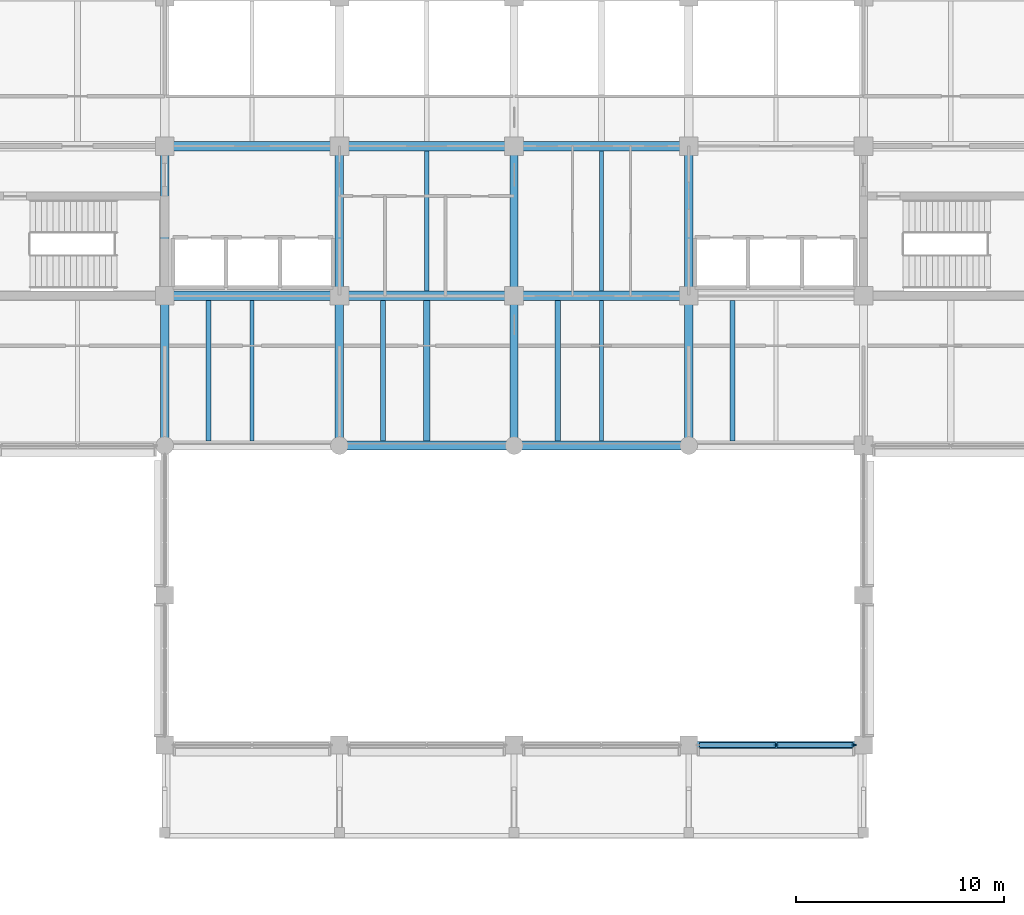
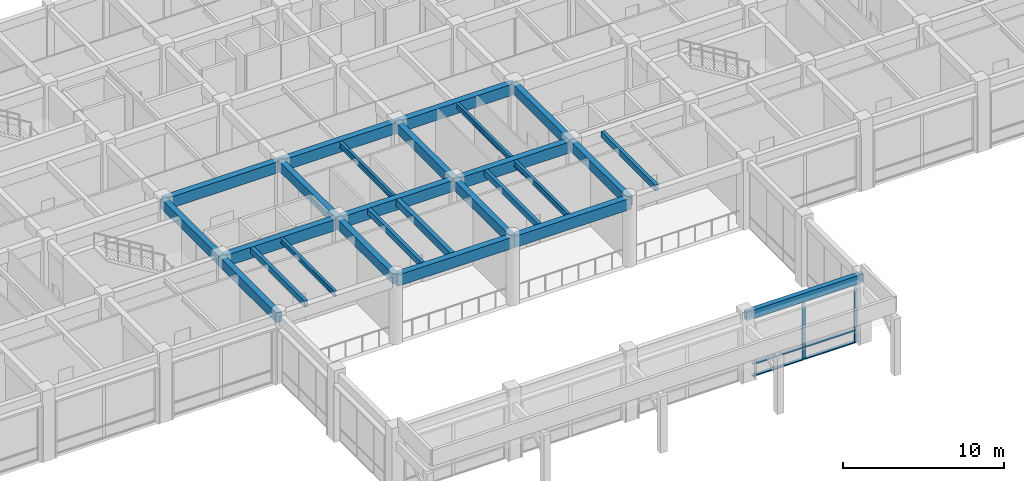
# One storey, part 15 of 68: 26 beams, 8 members, 1 element without a shape of its own.
"""IFC4 building model written with IfcOpenShell, lengths in metres."""

from ifc_helpers import new_model, si_unit, direction, frame, origin, origin_2d, place, context, subcontext, project, spatial, rectangle, i_section, extrude, material, layer, layer_set, material_profile, profile_set, type_object, element, aggregate, save


model = new_model("IFC4")

# Units and contexts
model_context = context("Model", 3, precision=1e-05, world=origin(), true_north=direction((0.0, 1.0)))
body_context = subcontext(model_context, "Body", "Model", "MODEL_VIEW")
ifc_project = project(units=[si_unit("LENGTHUNIT", "METRE"), si_unit("AREAUNIT", "SQUARE_METRE"), si_unit("VOLUMEUNIT", "CUBIC_METRE"), si_unit("PLANEANGLEUNIT", "RADIAN"), si_unit("MASSUNIT", "GRAM", prefix="KILO")], contexts=[model_context])

# Site, building, storey
site_placement = place(None, origin())
site = spatial("IfcSite", under=ifc_project, at=site_placement, CompositionType="ELEMENT")
building_placement = place(site_placement, origin())
building = spatial("IfcBuilding", under=site, at=building_placement, Name="Chengyuan Square Courthouse", CompositionType="ELEMENT")
storey_placement = place(building_placement, frame((0.0, 0.0, 5.39990234375)))
storey = spatial("IfcBuildingStorey", under=building, at=storey_placement, Name="L02", CompositionType="ELEMENT", Elevation=5.39990234375)

# Beams
ifc_material_1 = material(Name="Concrete C40", Category="concrete")
ifc_material_profile_1 = material_profile(ifc_material_1, rectangle(XDim=0.449951171875, YDim=0.85009765625, at=origin_2d()), Name="RC-BM-450x850")
ifc_profile_set_1 = profile_set([ifc_material_profile_1], Name="Concrete C40")
beam_type_1 = type_object("IfcBeamType", Name="BM-01", PredefinedType="USERDEFINED", material=ifc_profile_set_1)
for number, where, z_axis, x_axis, name in (
    (1, (75.60009765625, 79.199951171875, 4.695068359375), (1.0, 0.0, 0.0), (0.0, 1.0, 0.0), "Girder BM-L02-2128"),
    (2, (84.0, 79.199951171875, 4.695068359375), (1.0, 0.0, 0.0), (0.0, 1.0, 0.0), "Girder BM-L02-2129"),
):
    element("IfcBeam", number, at=place(storey_placement, frame(where, z_axis=z_axis, x_axis=x_axis)), inside=storey, type_object=beam_type_1, Name=name, ObjectType="GIRDER", PredefinedType="USERDEFINED", context=body_context, shape_type="SweptSolid", body=[
        extrude(rectangle(XDim=0.449951171875, YDim=0.85009765625, at=origin_2d()), origin(), (0.0, 0.0, 1.0), 8.39990234375),
    ])
beam_1_placement = place(storey_placement, frame((67.199951171875, 86.39990234375, 4.695068359375), z_axis=(1.0, 0.0, 0.0), x_axis=(0.0, 1.0, 0.0)))
element("IfcBeam", 3, at=beam_1_placement, inside=storey, type_object=beam_type_1, Name="Girder BM-L02-2147", ObjectType="GIRDER", PredefinedType="USERDEFINED", context=body_context, shape_type="SweptSolid", body=[
    extrude(rectangle(XDim=0.449951171875, YDim=0.85009765625, at=origin_2d()), origin(), (0.0, 0.0, 1.0), 8.400146484375),
])
for number, where, z_axis, x_axis, name in (
    (4, (75.60009765625, 86.39990234375, 4.695068359375), (1.0, 0.0, 0.0), (0.0, 1.0, 0.0), "Girder BM-L02-2148"),
    (5, (84.0, 86.39990234375, 4.695068359375), (1.0, 0.0, 0.0), (0.0, 1.0, 0.0), "Girder BM-L02-2149"),
):
    element("IfcBeam", number, at=place(storey_placement, frame(where, z_axis=z_axis, x_axis=x_axis)), inside=storey, type_object=beam_type_1, Name=name, ObjectType="GIRDER", PredefinedType="USERDEFINED", context=body_context, shape_type="SweptSolid", body=[
        extrude(rectangle(XDim=0.449951171875, YDim=0.85009765625, at=origin_2d()), origin(), (0.0, 0.0, 1.0), 8.39990234375),
    ])
beam_2_placement = place(storey_placement, frame((67.199951171875, 93.60009765625, 4.695068359375), z_axis=(1.0, 0.0, 0.0), x_axis=(0.0, 1.0, 0.0)))
element("IfcBeam", 6, at=beam_2_placement, inside=storey, type_object=beam_type_1, Name="Girder BM-L02-2167", ObjectType="GIRDER", PredefinedType="USERDEFINED", context=body_context, shape_type="SweptSolid", body=[
    extrude(rectangle(XDim=0.449951171875, YDim=0.85009765625, at=origin_2d()), origin(), (0.0, 0.0, 1.0), 8.400146484375),
])
for number, where, z_axis, x_axis, name in (
    (7, (75.60009765625, 93.60009765625, 4.695068359375), (1.0, 0.0, 0.0), (0.0, 1.0, 0.0), "Girder BM-L02-2168"),
    (8, (84.0, 93.60009765625, 4.695068359375), (1.0, 0.0, 0.0), (0.0, 1.0, 0.0), "Girder BM-L02-2169"),
):
    element("IfcBeam", number, at=place(storey_placement, frame(where, z_axis=z_axis, x_axis=x_axis)), inside=storey, type_object=beam_type_1, Name=name, ObjectType="GIRDER", PredefinedType="USERDEFINED", context=body_context, shape_type="SweptSolid", body=[
        extrude(rectangle(XDim=0.449951171875, YDim=0.85009765625, at=origin_2d()), origin(), (0.0, 0.0, 1.0), 8.39990234375),
    ])
ifc_material_profile_2 = material_profile(ifc_material_1, rectangle(XDim=0.39990234375, YDim=0.75, at=origin_2d()), Name="RC-BM-400x750")
ifc_profile_set_2 = profile_set([ifc_material_profile_2], Name="Concrete C40")
beam_type_2 = type_object("IfcBeamType", Name="BM-02", PredefinedType="USERDEFINED", material=ifc_profile_set_2)
beam_3_placement = place(storey_placement, frame((67.199951171875, 79.199951171875, 4.7451171875), z_axis=(0.0, 1.0, 0.0), x_axis=(-1.0, 0.0, 0.0)))
element("IfcBeam", 9, at=beam_3_placement, inside=storey, type_object=beam_type_2, Name="Girder BM-L02-2296", ObjectType="GIRDER", PredefinedType="USERDEFINED", context=body_context, shape_type="SweptSolid", body=[
    extrude(rectangle(XDim=0.39990234375, YDim=0.75, at=origin_2d()), origin(), (0.0, 0.0, 1.0), 7.199951171875),
])
beam_4_placement = place(storey_placement, frame((67.199951171875, 86.39990234375, 4.7451171875), z_axis=(0.0, 1.0, 0.0), x_axis=(-1.0, 0.0, 0.0)))
element("IfcBeam", 10, at=beam_4_placement, inside=storey, type_object=beam_type_2, Name="Girder BM-L02-2297", ObjectType="GIRDER", PredefinedType="USERDEFINED", context=body_context, shape_type="SweptSolid", body=[
    extrude(rectangle(XDim=0.39990234375, YDim=0.75, at=origin_2d()), origin(), (0.0, 0.0, 1.0), 7.2001953125),
])
beam_5_placement = place(storey_placement, frame((75.60009765625, 79.199951171875, 4.7451171875), z_axis=(0.0, 1.0, 0.0), x_axis=(-1.0, 0.0, 0.0)))
element("IfcBeam", 11, at=beam_5_placement, inside=storey, type_object=beam_type_2, Name="Girder BM-L02-2301", ObjectType="GIRDER", PredefinedType="USERDEFINED", context=body_context, shape_type="SweptSolid", body=[
    extrude(rectangle(XDim=0.39990234375, YDim=0.75, at=origin_2d()), origin(), (0.0, 0.0, 1.0), 7.199951171875),
])
beam_6_placement = place(storey_placement, frame((75.60009765625, 86.39990234375, 4.7451171875), z_axis=(0.0, 1.0, 0.0), x_axis=(-1.0, 0.0, 0.0)))
element("IfcBeam", 12, at=beam_6_placement, inside=storey, type_object=beam_type_2, Name="Girder BM-L02-2302", ObjectType="GIRDER", PredefinedType="USERDEFINED", context=body_context, shape_type="SweptSolid", body=[
    extrude(rectangle(XDim=0.39990234375, YDim=0.75, at=origin_2d()), origin(), (0.0, 0.0, 1.0), 7.2001953125),
])
beam_7_placement = place(storey_placement, frame((84.0, 79.199951171875, 4.7451171875), z_axis=(0.0, 1.0, 0.0), x_axis=(-1.0, 0.0, 0.0)))
element("IfcBeam", 13, at=beam_7_placement, inside=storey, type_object=beam_type_2, Name="Girder BM-L02-2306", ObjectType="GIRDER", PredefinedType="USERDEFINED", context=body_context, shape_type="SweptSolid", body=[
    extrude(rectangle(XDim=0.39990234375, YDim=0.75, at=origin_2d()), origin(), (0.0, 0.0, 1.0), 7.199951171875),
])
beam_8_placement = place(storey_placement, frame((84.0, 86.39990234375, 4.7451171875), z_axis=(0.0, 1.0, 0.0), x_axis=(-1.0, 0.0, 0.0)))
element("IfcBeam", 14, at=beam_8_placement, inside=storey, type_object=beam_type_2, Name="Girder BM-L02-2307", ObjectType="GIRDER", PredefinedType="USERDEFINED", context=body_context, shape_type="SweptSolid", body=[
    extrude(rectangle(XDim=0.39990234375, YDim=0.75, at=origin_2d()), origin(), (0.0, 0.0, 1.0), 7.2001953125),
])
beam_9_placement = place(storey_placement, frame((92.39990234375, 79.199951171875, 4.7451171875), z_axis=(0.0, 1.0, 0.0), x_axis=(-1.0, 0.0, 0.0)))
element("IfcBeam", 15, at=beam_9_placement, inside=storey, type_object=beam_type_2, Name="Girder BM-L02-2311", ObjectType="GIRDER", PredefinedType="USERDEFINED", context=body_context, shape_type="SweptSolid", body=[
    extrude(rectangle(XDim=0.39990234375, YDim=0.75, at=origin_2d()), origin(), (0.0, 0.0, 1.0), 7.199951171875),
])
beam_10_placement = place(storey_placement, frame((92.39990234375, 86.39990234375, 4.7451171875), z_axis=(0.0, 1.0, 0.0), x_axis=(-1.0, 0.0, 0.0)))
element("IfcBeam", 16, at=beam_10_placement, inside=storey, type_object=beam_type_2, Name="Girder BM-L02-2312", ObjectType="GIRDER", PredefinedType="USERDEFINED", context=body_context, shape_type="SweptSolid", body=[
    extrude(rectangle(XDim=0.39990234375, YDim=0.75, at=origin_2d()), origin(), (0.0, 0.0, 1.0), 7.2001953125),
])
ifc_material_profile_3 = material_profile(ifc_material_1, rectangle(XDim=0.35009765625, YDim=0.64990234375, at=origin_2d()), Name="RC-BM-350x650")
ifc_profile_set_3 = profile_set([ifc_material_profile_3], Name="Concrete C40")
beam_type_3 = type_object("IfcBeamType", Name="BM-03", PredefinedType="SPANDREL", material=ifc_profile_set_3)
beam_11_placement = place(storey_placement, frame((92.39990234375, 64.800048828125, 4.795166015625), z_axis=(1.0, 0.0, 0.0), x_axis=(0.0, 1.0, 0.0)))
element("IfcBeam", 17, at=beam_11_placement, inside=storey, type_object=beam_type_3, Name="Girder BM-L02-2112", PredefinedType="SPANDREL", context=body_context, shape_type="SweptSolid", body=[
    extrude(rectangle(XDim=0.35009765625, YDim=0.64990234375, at=origin_2d()), origin(), (0.0, 0.0, 1.0), 8.400146484375),
])
ifc_material_profile_4 = material_profile(ifc_material_1, rectangle(XDim=0.300048828125, YDim=0.550048828125, at=origin_2d()), Name="RC-BM-300x550")
ifc_profile_set_4 = profile_set([ifc_material_profile_4], Name="Concrete C40")
beam_type_4 = type_object("IfcBeamType", Name="BM-04", PredefinedType="BEAM", material=ifc_profile_set_4)
beam_12_placement = place(storey_placement, frame((79.800048828125, 79.425048828125, 4.84521484375), z_axis=(0.0, 1.0, 0.0), x_axis=(-1.0, 0.0, 0.0)))
element("IfcBeam", 18, at=beam_12_placement, inside=storey, type_object=beam_type_4, Name="Secondary Floor Beam SBM-L02-2445", PredefinedType="BEAM", context=body_context, shape_type="SweptSolid", body=[
    extrude(rectangle(XDim=0.300048828125, YDim=0.550048828125, at=origin_2d()), origin(), (0.0, 0.0, 1.0), 6.75),
])
ifc_material_profile_5 = material_profile(ifc_material_1, rectangle(XDim=0.25, YDim=0.449951171875, at=origin_2d()), Name="RC-UP-250x450")
ifc_profile_set_5 = profile_set([ifc_material_profile_5], Name="Concrete C40")
beam_type_5 = type_object("IfcBeamType", Name="BM-05", PredefinedType="USERDEFINED", material=ifc_profile_set_5)
for number, where, z_axis, x_axis, name in (
    (19, (69.300048828125, 79.425048828125, 4.89501953125), (0.0, 1.0, 0.0), (-1.0, 0.0, 0.0), "Concourse Edge Trim Beam UPB-L02-08"),
    (20, (77.699951171875, 79.425048828125, 4.89501953125), (0.0, 1.0, 0.0), (-1.0, 0.0, 0.0), "Concourse Edge Trim Beam UPB-L02-09"),
    (21, (86.10009765625, 79.425048828125, 4.89501953125), (0.0, 1.0, 0.0), (-1.0, 0.0, 0.0), "Concourse Edge Trim Beam UPB-L02-10"),
    (22, (94.5, 79.425048828125, 4.89501953125), (0.0, 1.0, 0.0), (-1.0, 0.0, 0.0), "Concourse Edge Trim Beam UPB-L02-11"),
):
    element("IfcBeam", number, at=place(storey_placement, frame(where, z_axis=z_axis, x_axis=x_axis)), inside=storey, type_object=beam_type_5, Name=name, ObjectType="UPSTAND", PredefinedType="USERDEFINED", context=body_context, shape_type="SweptSolid", body=[
        extrude(rectangle(XDim=0.25, YDim=0.449951171875, at=origin_2d()), origin(), (0.0, 0.0, 1.0), 6.75),
    ])
ifc_material_2 = material(Name="Steel Q355B", Category="steel")
ifc_material_profile_6 = material_profile(ifc_material_2, i_section(OverallWidth=0.199951171875, OverallDepth=0.449951171875, WebThickness=0.009033203125, FlangeThickness=0.013916015625, at=origin_2d()), Name="HN 450x200x9x14")
ifc_profile_set_6 = profile_set([ifc_material_profile_6], Name="Steel Q355B")
beam_type_6 = type_object("IfcBeamType", Name="BM-06", PredefinedType="BEAM", material=ifc_profile_set_6)
for number, where, z_axis, x_axis, name in (
    (23, (79.800048828125, 86.625, 4.89501953125), (0.0, 1.0, 0.0), (-1.0, 0.0, 0.0), "Secondary Floor Beam SBM-L02-2446"),
    (24, (88.199951171875, 79.425048828125, 4.89501953125), (0.0, 1.0, 0.0), (-1.0, 0.0, 0.0), "Secondary Floor Beam SBM-L02-2449"),
):
    element("IfcBeam", number, at=place(storey_placement, frame(where, z_axis=z_axis, x_axis=x_axis)), inside=storey, type_object=beam_type_6, Name=name, PredefinedType="BEAM", context=body_context, shape_type="SweptSolid", body=[
        extrude(i_section(OverallWidth=0.199951171875, OverallDepth=0.449951171875, WebThickness=0.009033203125, FlangeThickness=0.013916015625, at=origin_2d()), origin(), (0.0, 0.0, 1.0), 6.75),
    ])
ifc_material_profile_7 = material_profile(ifc_material_2, i_section(OverallWidth=0.199951171875, OverallDepth=0.39990234375, WebThickness=0.008056640625, FlangeThickness=0.012939453125, at=origin_2d()), Name="HN 400x200x8x13")
ifc_profile_set_7 = profile_set([ifc_material_profile_7], Name="Steel Q355B")
beam_type_7 = type_object("IfcBeamType", Name="BM-07", PredefinedType="BEAM", material=ifc_profile_set_7)
for number, where, z_axis, x_axis, name in (
    (25, (71.39990234375, 79.425048828125, 4.920166015625), (0.0, 1.0, 0.0), (-1.0, 0.0, 0.0), "Secondary Floor Beam SBM-L02-2441"),
    (26, (88.199951171875, 86.625, 4.920166015625), (0.0, 1.0, 0.0), (-1.0, 0.0, 0.0), "Secondary Floor Beam SBM-L02-2450"),
):
    element("IfcBeam", number, at=place(storey_placement, frame(where, z_axis=z_axis, x_axis=x_axis)), inside=storey, type_object=beam_type_7, Name=name, PredefinedType="BEAM", context=body_context, shape_type="SweptSolid", body=[
        extrude(i_section(OverallWidth=0.199951171875, OverallDepth=0.39990234375, WebThickness=0.008056640625, FlangeThickness=0.012939453125, at=origin_2d()), origin(), (0.0, 0.0, 1.0), 6.75),
    ])

# Curtain wall, members
ifc_material_3 = material(Name="Unitised Aluminium and Triple Low-E Glass", Category="aluminium")
ifc_layer = layer(ifc_material_3, 0.219970703125)
ifc_layer_set = layer_set([ifc_layer], Name="Unitised Aluminium and Triple Low-E Glass")
curtain_wall_type = type_object("IfcCurtainWallType", Name="CW-04", PredefinedType="USERDEFINED", material=ifc_layer_set)
curtain_wall_placement = place(storey_placement, origin())
curtain_wall = element("IfcCurtainWall", 27, at=curtain_wall_placement, inside=storey, type_object=curtain_wall_type, Name="Unitised Curtain Wall CW-L02-066", ObjectType="UNITISED CURTAIN WALL", PredefinedType="USERDEFINED")
ifc_material_4 = material(Name="Aluminium 6063-T6 Frame", Category="aluminium")
ifc_material_profile_8 = material_profile(ifc_material_4, rectangle(XDim=0.080078125, YDim=0.219970703125, at=origin_2d()), Name="CW-MUL-80x220")
ifc_profile_set_8 = profile_set([ifc_material_profile_8], Name="Aluminium 6063-T6 Frame")
member_type_1 = type_object("IfcMemberType", Name="CWM-04", PredefinedType="MULLION", material=ifc_profile_set_8)
member_1_placement = place(storey_placement, frame((96.60009765625, 64.800048828125, 0.0), z_axis=(0.0, 0.0, 1.0), x_axis=(0.0, 1.0, 0.0)))
member_1 = element("IfcMember", 28, at=member_1_placement, type_object=member_type_1, Name="CW-04 mullion 2", PredefinedType="MULLION", context=body_context, shape_type="SweptSolid", body=[
    extrude(rectangle(XDim=0.080078125, YDim=0.219970703125, at=origin_2d()), origin(), (0.0, 0.0, 1.0), 4.47021484375),
])
member_2_placement = place(storey_placement, frame((100.3349609375, 64.800048828125, 0.0), z_axis=(0.0, 0.0, 1.0), x_axis=(0.0, 1.0, 0.0)))
member_2 = element("IfcMember", 29, at=member_2_placement, type_object=member_type_1, Name="CW-04 mullion 3", PredefinedType="MULLION", context=body_context, shape_type="SweptSolid", body=[
    extrude(rectangle(XDim=0.080078125, YDim=0.219970703125, at=origin_2d()), origin(), (0.0, 0.0, 1.0), 4.47021484375),
])
ifc_material_profile_9 = material_profile(ifc_material_4, rectangle(XDim=0.219970703125, YDim=0.080078125, at=origin_2d()), Name="CW-TRN-80x180")
ifc_profile_set_9 = profile_set([ifc_material_profile_9], Name="Aluminium 6063-T6 Frame")
member_type_2 = type_object("IfcMemberType", Name="CWT-04", PredefinedType="USERDEFINED", material=ifc_profile_set_9)
member_3_placement = place(storey_placement, frame((92.905029296875, 64.800048828125, 0.0400390625), z_axis=(1.0, 0.0, 0.0), x_axis=(0.0, 1.0, 0.0)))
member_3 = element("IfcMember", 30, at=member_3_placement, type_object=member_type_2, Name="CW-04 transom 1.1", ObjectType="TRANSOM", PredefinedType="USERDEFINED", context=body_context, shape_type="SweptSolid", body=[
    extrude(rectangle(XDim=0.219970703125, YDim=0.080078125, at=origin_2d()), origin(), (0.0, 0.0, 1.0), 3.655029296875),
])
member_4_placement = place(storey_placement, frame((92.905029296875, 64.800048828125, 0.9501953125), z_axis=(1.0, 0.0, 0.0), x_axis=(0.0, 1.0, 0.0)))
member_4 = element("IfcMember", 31, at=member_4_placement, type_object=member_type_2, Name="CW-04 transom 1.2", ObjectType="TRANSOM", PredefinedType="USERDEFINED", context=body_context, shape_type="SweptSolid", body=[
    extrude(rectangle(XDim=0.219970703125, YDim=0.080078125, at=origin_2d()), origin(), (0.0, 0.0, 1.0), 3.655029296875),
])
member_5_placement = place(storey_placement, frame((92.905029296875, 64.800048828125, 4.43017578125), z_axis=(1.0, 0.0, 0.0), x_axis=(0.0, 1.0, 0.0)))
member_5 = element("IfcMember", 32, at=member_5_placement, type_object=member_type_2, Name="CW-04 transom 1.3", ObjectType="TRANSOM", PredefinedType="USERDEFINED", context=body_context, shape_type="SweptSolid", body=[
    extrude(rectangle(XDim=0.219970703125, YDim=0.080078125, at=origin_2d()), origin(), (0.0, 0.0, 1.0), 3.655029296875),
])
member_6_placement = place(storey_placement, frame((96.639892578125, 64.800048828125, 0.0400390625), z_axis=(1.0, 0.0, 0.0), x_axis=(0.0, 1.0, 0.0)))
member_6 = element("IfcMember", 33, at=member_6_placement, type_object=member_type_2, Name="CW-04 transom 2.1", ObjectType="TRANSOM", PredefinedType="USERDEFINED", context=body_context, shape_type="SweptSolid", body=[
    extrude(rectangle(XDim=0.219970703125, YDim=0.080078125, at=origin_2d()), origin(), (0.0, 0.0, 1.0), 3.655029296875),
])
member_7_placement = place(storey_placement, frame((96.639892578125, 64.800048828125, 0.9501953125), z_axis=(1.0, 0.0, 0.0), x_axis=(0.0, 1.0, 0.0)))
member_7 = element("IfcMember", 34, at=member_7_placement, type_object=member_type_2, Name="CW-04 transom 2.2", ObjectType="TRANSOM", PredefinedType="USERDEFINED", context=body_context, shape_type="SweptSolid", body=[
    extrude(rectangle(XDim=0.219970703125, YDim=0.080078125, at=origin_2d()), origin(), (0.0, 0.0, 1.0), 3.655029296875),
])
member_8_placement = place(storey_placement, frame((96.639892578125, 64.800048828125, 4.43017578125), z_axis=(1.0, 0.0, 0.0), x_axis=(0.0, 1.0, 0.0)))
member_8 = element("IfcMember", 35, at=member_8_placement, type_object=member_type_2, Name="CW-04 transom 2.3", ObjectType="TRANSOM", PredefinedType="USERDEFINED", context=body_context, shape_type="SweptSolid", body=[
    extrude(rectangle(XDim=0.219970703125, YDim=0.080078125, at=origin_2d()), origin(), (0.0, 0.0, 1.0), 3.655029296875),
])
aggregate(curtain_wall, [member_1, member_2, member_3, member_4, member_5, member_6, member_7, member_8])

save(model, "model.ifc")
